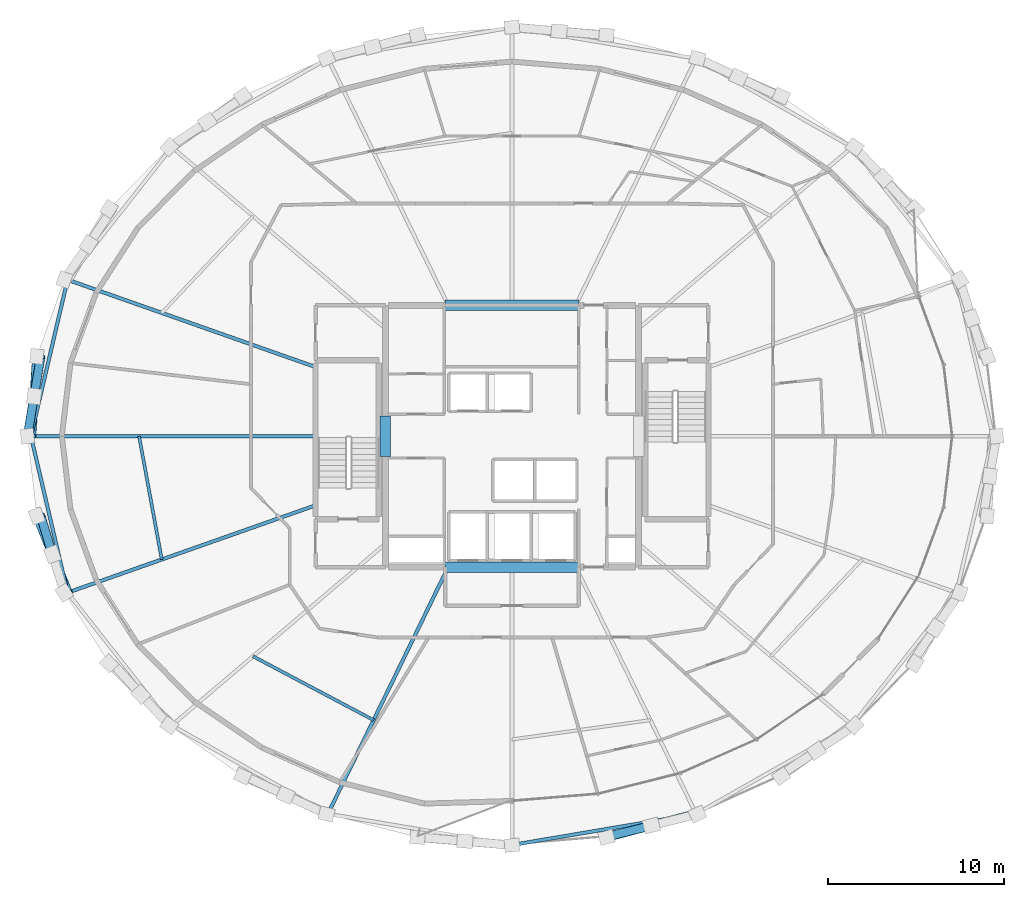
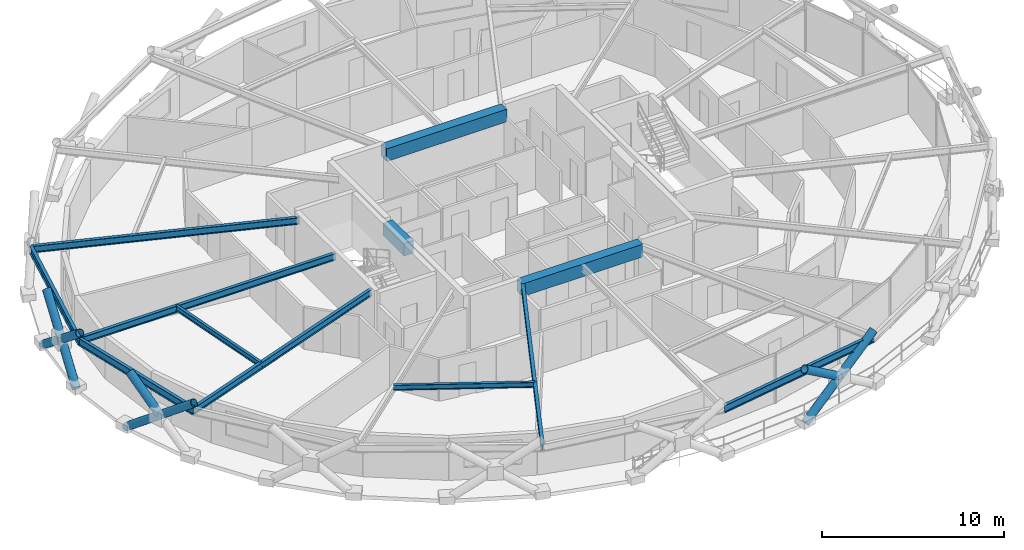
# One storey, part 3 of 15: 12 beams, 7 members.
"""IFC4 building model written with IfcOpenShell, lengths in metres."""

from ifc_helpers import new_model, si_unit, direction, frame, origin, origin_2d, place, context, subcontext, project, spatial, rectangle, hollow_circle, i_section, extrude, material, material_profile, profile_set, type_object, element, save


model = new_model("IFC4")

# Units and contexts
model_context = context("Model", 3, precision=1e-05, world=origin(), true_north=direction((0.0, 1.0)))
body_context = subcontext(model_context, "Body", "Model", "MODEL_VIEW")
ifc_project = project(units=[si_unit("LENGTHUNIT", "METRE"), si_unit("AREAUNIT", "SQUARE_METRE"), si_unit("VOLUMEUNIT", "CUBIC_METRE"), si_unit("PLANEANGLEUNIT", "RADIAN"), si_unit("MASSUNIT", "GRAM", prefix="KILO")], contexts=[model_context])

# Site, building, storey
site_placement = place(None, origin())
site = spatial("IfcSite", under=ifc_project, at=site_placement, CompositionType="ELEMENT")
building_placement = place(site_placement, origin())
building = spatial("IfcBuilding", under=site, at=building_placement, Name="Veldorina Hangang Commons", CompositionType="ELEMENT")
storey_placement = place(building_placement, frame((0.0, 0.0, 182.0)))
storey = spatial("IfcBuildingStorey", under=building, at=storey_placement, Name="L47", CompositionType="ELEMENT", Elevation=182.0)

# Beams
ifc_material_1 = material(Name="Concrete C60/75", Category="concrete")
ifc_material_profile_1 = material_profile(ifc_material_1, rectangle(XDim=0.60009765625, YDim=0.85009765625, at=origin_2d()), Name="RC-CB-600x850")
ifc_profile_set_1 = profile_set([ifc_material_profile_1], Name="Concrete C60/75")
beam_type_1 = type_object("IfcBeamType", Name="BM-CB850", PredefinedType="LINTEL", material=ifc_profile_set_1)
beam_1_placement = place(storey_placement, frame((24.800048828125, 22.85009765625, 2.925048828125), z_axis=(0.0, 1.0, 0.0), x_axis=(-1.0, 0.0, 0.0)))
element("IfcBeam", 1, at=beam_1_placement, inside=storey, type_object=beam_type_1, Name="L47 W core coupling lintel beam", PredefinedType="LINTEL", context=body_context, shape_type="SweptSolid", body=[
    extrude(rectangle(XDim=0.60009765625, YDim=0.85009765625, at=origin_2d()), origin(), (0.0, 0.0, 1.0), 2.2998046875),
])
for number, where, z_axis, x_axis, name in (
    (2, (28.199951171875, 16.550048828125, 2.925048828125), (1.0, 0.0, 0.0), (0.0, 1.0, 0.0), "L47 south core coupling beam"),
    (3, (28.199951171875, 31.449951171875, 2.925048828125), (1.0, 0.0, 0.0), (0.0, 1.0, 0.0), "L47 north core coupling beam"),
):
    element("IfcBeam", number, at=place(storey_placement, frame(where, z_axis=z_axis, x_axis=x_axis)), inside=storey, type_object=beam_type_1, Name=name, PredefinedType="LINTEL", context=body_context, shape_type="SweptSolid", body=[
        extrude(rectangle(XDim=0.60009765625, YDim=0.85009765625, at=origin_2d()), origin(), (0.0, 0.0, 1.0), 7.60009765625),
    ])
ifc_material_2 = material(Name="Steel SM355-TMC", Category="steel")
ifc_material_profile_2 = material_profile(ifc_material_2, i_section(OverallWidth=0.199951171875, OverallDepth=0.449951171875, WebThickness=0.009033203125, FlangeThickness=0.013916015625, FilletRadius=0.01611328125, at=origin_2d()), Name="H-450x200x9x14")
ifc_profile_set_2 = profile_set([ifc_material_profile_2], Name="Steel SM355-TMC")
beam_type_2 = type_object("IfcBeamType", Name="BM-FG450", PredefinedType="BEAM", material=ifc_profile_set_2)
beam_2_placement = place(storey_placement, frame((20.820068359375, 27.935546875, 3.125), z_axis=(-0.943261760957, 0.332050072002, 0.0), x_axis=(-0.332050072002, -0.943261760957, 0.0)))
element("IfcBeam", 4, at=beam_2_placement, inside=storey, type_object=beam_type_2, Name="L47 radial floor girder 08", PredefinedType="BEAM", context=body_context, shape_type="SweptSolid", body=[
    extrude(i_section(OverallWidth=0.199951171875, OverallDepth=0.449951171875, WebThickness=0.009033203125, FlangeThickness=0.013916015625, FilletRadius=0.01611328125, at=origin_2d()), origin(), (0.0, 0.0, 1.0), 14.9609375),
])
beam_3_placement = place(storey_placement, frame((20.820068359375, 24.0, 3.125), z_axis=(-1.0, 0.0, 0.0), x_axis=(0.0, -1.0, 0.0)))
element("IfcBeam", 5, at=beam_3_placement, inside=storey, type_object=beam_type_2, Name="L47 radial floor girder 09", PredefinedType="BEAM", context=body_context, shape_type="SweptSolid", body=[
    extrude(i_section(OverallWidth=0.199951171875, OverallDepth=0.449951171875, WebThickness=0.009033203125, FlangeThickness=0.013916015625, FilletRadius=0.01611328125, at=origin_2d()), origin(), (0.0, 0.0, 1.0), 16.19580078125),
])
beam_4_placement = place(storey_placement, frame((20.820068359375, 20.064453125, 3.125), z_axis=(-0.943261760957, -0.332050072002, 0.0), x_axis=(0.332050072002, -0.943261760957, 0.0)))
element("IfcBeam", 6, at=beam_4_placement, inside=storey, type_object=beam_type_2, Name="L47 radial floor girder 10", PredefinedType="BEAM", context=body_context, shape_type="SweptSolid", body=[
    extrude(i_section(OverallWidth=0.199951171875, OverallDepth=0.449951171875, WebThickness=0.009033203125, FlangeThickness=0.013916015625, FilletRadius=0.01611328125, at=origin_2d()), origin(), (0.0, 0.0, 1.0), 14.9609375),
])
beam_5_placement = place(storey_placement, frame((28.368896484375, 16.550048828125, 3.125), z_axis=(-0.43812743876, -0.898912869752, 0.0), x_axis=(0.898912869752, -0.43812743876, 0.0)))
element("IfcBeam", 7, at=beam_5_placement, inside=storey, type_object=beam_type_2, Name="L47 radial floor girder 12", PredefinedType="BEAM", context=body_context, shape_type="SweptSolid", body=[
    extrude(i_section(OverallWidth=0.199951171875, OverallDepth=0.449951171875, WebThickness=0.009033203125, FlangeThickness=0.013916015625, FilletRadius=0.01611328125, at=origin_2d()), origin(), (0.0, 0.0, 1.0), 15.623779296875),
])
ifc_material_profile_3 = material_profile(ifc_material_2, i_section(OverallWidth=0.175048828125, OverallDepth=0.35009765625, WebThickness=0.007080078125, FlangeThickness=0.010986328125, FilletRadius=0.012939453125, at=origin_2d()), Name="H-350x175x7x11")
ifc_profile_set_3 = profile_set([ifc_material_profile_3], Name="Steel SM355-TMC")
beam_type_3 = type_object("IfcBeamType", Name="BM-JST350", PredefinedType="JOIST", material=ifc_profile_set_3)
beam_6_placement = place(storey_placement, frame((10.77880859375, 24.0, 3.175048828125), z_axis=(0.18108054737, -0.983468268611, 0.0), x_axis=(0.983468268611, 0.18108054737, 0.0)))
element("IfcBeam", 8, at=beam_6_placement, inside=storey, type_object=beam_type_3, Name="L47 secondary floor joist 09", PredefinedType="JOIST", context=body_context, shape_type="SweptSolid", body=[
    extrude(i_section(OverallWidth=0.175048828125, OverallDepth=0.35009765625, WebThickness=0.007080078125, FlangeThickness=0.010986328125, FilletRadius=0.012939453125, at=origin_2d()), origin(), (0.0, 0.0, 1.0), 7.133544921875),
])
beam_7_placement = place(storey_placement, frame((17.26220703125, 11.47509765625, 3.175048828125), z_axis=(0.883823859155, -0.467819822141, 0.0), x_axis=(0.467819822141, 0.883823859155, 0.0)))
element("IfcBeam", 9, at=beam_7_placement, inside=storey, type_object=beam_type_3, Name="L47 secondary floor joist 11", PredefinedType="JOIST", context=body_context, shape_type="SweptSolid", body=[
    extrude(i_section(OverallWidth=0.175048828125, OverallDepth=0.35009765625, WebThickness=0.007080078125, FlangeThickness=0.010986328125, FilletRadius=0.012939453125, at=origin_2d()), origin(), (0.0, 0.0, 1.0), 7.764892578125),
])
ifc_material_3 = material(Name="Steel SM420-TMC", Category="steel")
ifc_material_profile_4 = material_profile(ifc_material_3, i_section(OverallWidth=0.199951171875, OverallDepth=0.5, WebThickness=0.010009765625, FlangeThickness=0.01611328125, FilletRadius=0.01611328125, at=origin_2d()), Name="H-500x200x10x16")
ifc_profile_set_4 = profile_set([ifc_material_profile_4], Name="Steel SM420-TMC")
beam_type_4 = type_object("IfcBeamType", Name="BM-RB500", PredefinedType="BEAM", material=ifc_profile_set_4)
for number, where, z_axis, x_axis, name in (
    (10, (6.7080078125, 32.9033203125, 3.10009765625), (-0.227882851638, -0.973688556947, 0.0), (0.973688556947, -0.227882851638, 0.0), "L47 perimeter hoop ring beam 14"),
    (11, (4.624267578125, 24.0, 3.10009765625), (0.227882851638, -0.973688556947, 0.0), (0.973688556947, 0.227882851638, 0.0), "L47 perimeter hoop ring beam 16"),
):
    element("IfcBeam", number, at=place(storey_placement, frame(where, z_axis=z_axis, x_axis=x_axis)), inside=storey, type_object=beam_type_4, Name=name, PredefinedType="BEAM", context=body_context, shape_type="SweptSolid", body=[
        extrude(i_section(OverallWidth=0.199951171875, OverallDepth=0.5, WebThickness=0.010009765625, FlangeThickness=0.01611328125, FilletRadius=0.01611328125, at=origin_2d()), origin(), (0.0, 0.0, 1.0), 9.143798828125),
    ])
beam_8_placement = place(storey_placement, frame((32.0, 0.734619140625, 3.10009765625), z_axis=(0.986010588998, 0.166682687716, 0.0), x_axis=(-0.166682687716, 0.986010588998, 0.0)))
element("IfcBeam", 12, at=beam_8_placement, inside=storey, type_object=beam_type_4, Name="L47 perimeter hoop ring beam 24", PredefinedType="BEAM", context=body_context, shape_type="SweptSolid", body=[
    extrude(i_section(OverallWidth=0.199951171875, OverallDepth=0.5, WebThickness=0.010009765625, FlangeThickness=0.01611328125, FilletRadius=0.01611328125, at=origin_2d()), origin(), (0.0, 0.0, 1.0), 10.625),
])

# Members
ifc_material_profile_5 = material_profile(ifc_material_3, hollow_circle(Radius=0.25, WallThickness=0.02490234375, at=origin_2d()), Name="CHS-500x25")
ifc_profile_set_5 = profile_set([ifc_material_profile_5], Name="Steel SM420-TMC")
member_type = type_object("IfcMemberType", Name="DG-CHS500", PredefinedType="BRACE", material=ifc_profile_set_5)
member_1_placement = place(storey_placement, frame((4.95361328125, 28.541015625, 0.0), z_axis=(-0.051204758756, -0.782587109991, 0.620431694835), x_axis=(0.997866299014, -0.065290499242, 0.0)))
element("IfcMember", 13, at=member_1_placement, inside=storey, type_object=member_type, Name="L47 continuous perimeter diagrid brace 15", PredefinedType="BRACE", context=body_context, shape_type="SweptSolid", body=[
    extrude(hollow_circle(Radius=0.25, WallThickness=0.02490234375, at=origin_2d()), origin(), (0.0, 0.0, 1.0), 5.802490234375),
])
member_2_placement = place(storey_placement, frame((4.423828125, 24.0, 0.0), z_axis=(0.130500286624, 0.776735700862, 0.616158523594), x_axis=(-0.986178063546, 0.165688946462, 0.0)))
element("IfcMember", 14, at=member_2_placement, inside=storey, type_object=member_type, Name="L47 split perimeter diagrid lower brace 16", PredefinedType="BRACE", context=body_context, shape_type="SweptSolid", body=[
    extrude(hollow_circle(Radius=0.25, WallThickness=0.02490234375, at=origin_2d()), origin(), (0.0, 0.0, 1.0), 2.922119140625),
])
member_3_placement = place(storey_placement, frame((4.80517578125, 26.269775390625, 1.800537109375), z_axis=(0.128999517961, 0.776923214786, 0.616238137973), x_axis=(-0.986494156285, 0.163796457887, 0.0)))
element("IfcMember", 15, at=member_3_placement, inside=storey, type_object=member_type, Name="L47 split perimeter diagrid upper brace 16", PredefinedType="BRACE", context=body_context, shape_type="SweptSolid", body=[
    extrude(hollow_circle(Radius=0.25, WallThickness=0.02490234375, at=origin_2d()), origin(), (0.0, 0.0, 1.0), 2.920166015625),
])
member_4_placement = place(storey_placement, frame((4.95361328125, 19.458984375, 0.0), z_axis=(0.300900591479, -0.735475313555, 0.607070751395), x_axis=(0.925536227611, 0.378659070115, 0.0)))
element("IfcMember", 16, at=member_4_placement, inside=storey, type_object=member_type, Name="L47 continuous perimeter diagrid brace 17", PredefinedType="BRACE", context=body_context, shape_type="SweptSolid", body=[
    extrude(hollow_circle(Radius=0.25, WallThickness=0.02490234375, at=origin_2d()), origin(), (0.0, 0.0, 1.0), 5.93017578125),
])
member_5_placement = place(storey_placement, frame((5.846435546875, 17.276611328125, 1.80126953125), z_axis=(-0.228601265385, 0.751562352656, 0.618785497192), x_axis=(-0.956721772726, -0.29100420889, 0.0)))
element("IfcMember", 17, at=member_5_placement, inside=storey, type_object=member_type, Name="L47 split perimeter diagrid upper brace 18", PredefinedType="BRACE", context=body_context, shape_type="SweptSolid", body=[
    extrude(hollow_circle(Radius=0.25, WallThickness=0.02490234375, at=origin_2d()), origin(), (0.0, 0.0, 1.0), 2.906982421875),
])
member_6_placement = place(storey_placement, frame((37.3798828125, 1.17138671875, 0.0), z_axis=(0.797968430601, 0.209646815397, 0.565061586518), x_axis=(-0.254102343658, 0.967177335832, 0.0)))
element("IfcMember", 18, at=member_6_placement, inside=storey, type_object=member_type, Name="L47 continuous perimeter diagrid brace 25", PredefinedType="BRACE", context=body_context, shape_type="SweptSolid", body=[
    extrude(hollow_circle(Radius=0.25, WallThickness=0.02490234375, at=origin_2d()), origin(), (0.0, 0.0, 1.0), 6.37109375),
])
member_7_placement = place(storey_placement, frame((39.931884765625, 1.842041015625, 1.80712890625), z_axis=(-0.805610747555, -0.20429906917, 0.556105398068), x_axis=(0.245814191026, -0.969316967504, 0.0)))
element("IfcMember", 19, at=member_7_placement, inside=storey, type_object=member_type, Name="L47 split perimeter diagrid upper brace 26", PredefinedType="BRACE", context=body_context, shape_type="SweptSolid", body=[
    extrude(hollow_circle(Radius=0.25, WallThickness=0.02490234375, at=origin_2d()), origin(), (0.0, 0.0, 1.0), 3.22412109375),
])

save(model, "model.ifc")
